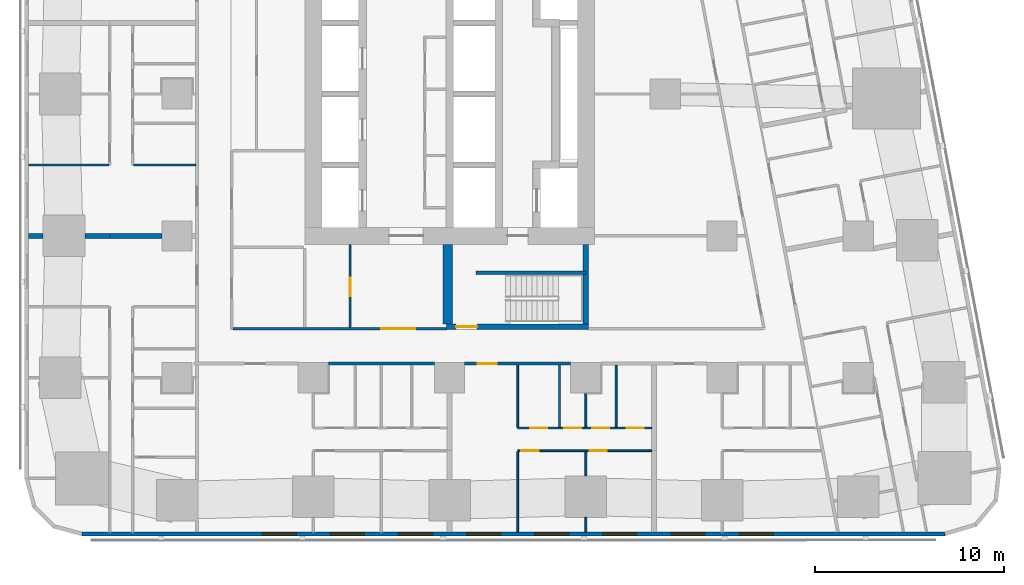
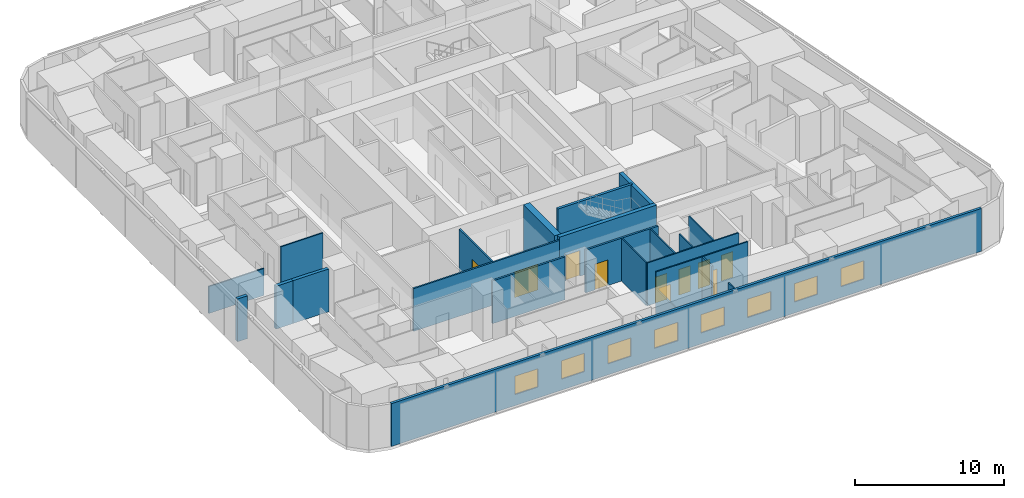
# One storey, part 3 of 15: 23 walls, 10 doors, 8 windows, 18 openings.
"""IFC4 building model written with IfcOpenShell, lengths in metres."""

import ifcopenshell
import ifcopenshell.guid

model = None  # the IFC model being written
_history = None  # IfcOwnerHistory: only IFC2X3 demands one
_inside = {}  # id of a spatial element -> (the spatial element, [elements in it])
_under = {}  # id of a project, library or spatial element -> (it, [spatial elements below it])
_declared = {}  # id of a project -> (the project, [libraries it declares])
_typed = {}  # id of a type object -> (the type object, [elements of that type])
_made_of = {}  # id of a material, layer set ... -> (it, [elements and type objects made of it])


def new_model(schema):
    """Start an empty IFC model of exactly this schema.

    Asked for "IFC4X3", IfcOpenShell would pick the latest addendum, in which some entities
    have other attributes; the version numbers below select the first issue.
    IFC2X3 requires an IfcOwnerHistory on every rooted entity: one is made here for all.
    """
    global model, _history
    if schema == "IFC4X3":
        model = ifcopenshell.file(schema_version=(4, 3, 0, 0))
    else:
        model = ifcopenshell.file(schema=schema)
    _inside.clear()
    _under.clear()
    _declared.clear()
    _typed.clear()
    _made_of.clear()
    _history = None
    if model.schema == "IFC2X3":
        org = make("IfcOrganization", Name="unknown")
        user = make(
            "IfcPersonAndOrganization",
            ThePerson=make("IfcPerson", FamilyName="unknown"),
            TheOrganization=org,
        )
        app = make(
            "IfcApplication",
            ApplicationDeveloper=org,
            Version="unknown",
            ApplicationFullName="unknown",
            ApplicationIdentifier="unknown",
        )
        _history = make(
            "IfcOwnerHistory",
            OwningUser=user,
            OwningApplication=app,
            ChangeAction="ADDED",
            CreationDate=0,
        )
    return model


def make(cls, **values):
    """One entity of the class cls with the attributes given. An attribute that is None is left unset."""
    return model.create_entity(
        cls, **{name: value for name, value in values.items() if value is not None}
    )


def rooted(cls, **values):
    """An entity with a GlobalId (a new one), such as an element, a storey or a relation."""
    return make(cls, GlobalId=ifcopenshell.guid.new(), OwnerHistory=_history, **values)


def si_unit(unit_type, name, prefix=None):
    """IfcSIUnit, for example si_unit("LENGTHUNIT", "METRE", prefix="MILLI")."""
    return make("IfcSIUnit", UnitType=unit_type, Prefix=prefix, Name=name)


def assignment(units):
    """IfcUnitAssignment: the units of a project."""
    return None if units is None else make("IfcUnitAssignment", Units=units)


def point(xyz):
    """IfcCartesianPoint."""
    return None if xyz is None else make("IfcCartesianPoint", Coordinates=xyz)


def direction(xyz):
    """IfcDirection."""
    return None if xyz is None else make("IfcDirection", DirectionRatios=xyz)


def frame(location, z_axis=None, x_axis=None):
    """IfcAxis2Placement3D, a coordinate frame: its origin and axes. An axis left out is left unset."""
    return make(
        "IfcAxis2Placement3D",
        Location=point(location),
        Axis=direction(z_axis),
        RefDirection=direction(x_axis),
    )


def frame_2d(location, x_axis=None):
    """IfcAxis2Placement2D, a coordinate frame in the plane: its origin and x axis."""
    return make(
        "IfcAxis2Placement2D", Location=point(location), RefDirection=direction(x_axis)
    )


def origin():
    """The frame at (0, 0, 0) with its axes left unset."""
    return frame((0.0, 0.0, 0.0))


def place(relative_to, where):
    """IfcLocalPlacement: puts the frame where relative to a parent placement (None: the world)."""
    return make(
        "IfcLocalPlacement", PlacementRelTo=relative_to, RelativePlacement=where
    )


def context(
    kind, dimensions, precision=None, world=None, true_north=None, identifier=None
):
    """IfcGeometricRepresentationContext, for example the 3D "Model" context."""
    return make(
        "IfcGeometricRepresentationContext",
        ContextIdentifier=identifier,
        ContextType=kind,
        CoordinateSpaceDimension=dimensions,
        Precision=precision,
        WorldCoordinateSystem=world,
        TrueNorth=true_north,
    )


def subcontext(parent, identifier, kind, view, scale=None):
    """IfcGeometricRepresentationSubContext, for example "Body" below "Model"."""
    return make(
        "IfcGeometricRepresentationSubContext",
        ContextIdentifier=identifier,
        ContextType=kind,
        ParentContext=parent,
        TargetScale=scale,
        TargetView=view,
    )


def project(units=None, contexts=None):
    """IfcProject with its units and contexts."""
    return rooted(
        "IfcProject",
        Name="project",
        RepresentationContexts=contexts,
        UnitsInContext=assignment(units),
    )


def spatial(cls, under=None, at=None, **own):
    """A site, building, storey or space (cls), placed at a placement, below another one or the project."""
    s = rooted(cls, ObjectPlacement=at, **own)
    if under is not None:
        _under.setdefault(under.id(), (under, []))[1].append(s)
    return s


def profile(cls, at=None, kind="AREA", **sizes):
    """A parametric profile (cls). Its sizes go by their IFC names, for example OverallWidth=200.0."""
    return make(cls, ProfileType=kind, Position=at, **sizes)


def rectangle(**sizes):
    """IfcRectangleProfileDef."""
    return profile("IfcRectangleProfileDef", **sizes)


def extrude(swept, where, along, depth):
    """IfcExtrudedAreaSolid: the profile swept, set in the frame where, extruded along a direction by depth."""
    return make(
        "IfcExtrudedAreaSolid",
        SweptArea=swept,
        Position=where,
        ExtrudedDirection=direction(along),
        Depth=depth,
    )


def shape(context_of_items, identifier, shape_type, items):
    """IfcShapeRepresentation: the items that make up one representation, for example the "Body"."""
    return make(
        "IfcShapeRepresentation",
        ContextOfItems=context_of_items,
        RepresentationIdentifier=identifier,
        RepresentationType=shape_type,
        Items=items,
    )


def material(Name=None, Category=None):
    """IfcMaterial."""
    return make("IfcMaterial", Name=Name, Category=Category)


def layer(
    of_material, thickness, ventilated=None, Name=None, Category=None, Priority=None
):
    """IfcMaterialLayer: one layer of a wall or slab, of a material (None: an air gap)."""
    return make(
        "IfcMaterialLayer",
        Material=of_material,
        LayerThickness=thickness,
        IsVentilated=ventilated,
        Name=Name,
        Category=Category,
        Priority=Priority,
    )


def layer_set(layers, Name=None):
    """IfcMaterialLayerSet."""
    return make("IfcMaterialLayerSet", MaterialLayers=layers, LayerSetName=Name)


def made_of(thing, what):
    """Note that an element or type object is made of a material, layer set ...; save() writes the relation."""
    if what is not None:
        _made_of.setdefault(what.id(), (what, []))[1].append(thing)
    return thing


def type_object(cls, material=None, **own):
    """A type object (cls), such as IfcWallType, which elements share."""
    return made_of(rooted(cls, **own), material)


def element(
    cls,
    number,
    at=None,
    inside=None,
    cuts=None,
    type_object=None,
    material=None,
    context=None,
    identifier="Body",
    shape_type=None,
    held_by="IfcProductDefinitionShape",
    body=None,
    shapes=None,
    **own,
):
    """One element of the class cls, such as IfcWall. Its Tag is "e" and its number.

    at: its placement. inside: the storey or other place that contains it. cuts: it is an
    opening in that element (IfcRelVoidsElement). A single representation is given by context,
    identifier, shape_type and body (its items); several are given by shapes. held_by: the class
    of the entity that holds the representations. save() writes the other relations.
    """
    e = rooted(cls, Tag="e%d" % number, ObjectPlacement=at, **own)
    if body is not None:
        shapes = [shape(context, identifier, shape_type, body)]
    if shapes is not None:
        e.Representation = make(held_by, Representations=shapes)
    if inside is not None:
        _inside.setdefault(inside.id(), (inside, []))[1].append(e)
    if cuts is not None:
        rooted(
            "IfcRelVoidsElement", RelatingBuildingElement=cuts, RelatedOpeningElement=e
        )
    if type_object is not None:
        _typed.setdefault(type_object.id(), (type_object, []))[1].append(e)
    return made_of(e, material)


def fill(opening, filler):
    """IfcRelFillsElement: the door or window that sits in an opening."""
    return rooted(
        "IfcRelFillsElement",
        RelatingOpeningElement=opening,
        RelatedBuildingElement=filler,
    )


def aggregate(whole, parts):
    """IfcRelAggregates: a whole, such as a stair, and the parts it consists of."""
    return rooted("IfcRelAggregates", RelatingObject=whole, RelatedObjects=parts)


def save(model, path):
    """Write the relations noted so far, then the file.

    IfcRelAggregates (storeys below a building ...), IfcRelContainedInSpatialStructure (elements
    in a storey), IfcRelDefinesByType, IfcRelAssociatesMaterial and IfcRelDeclares: one each for
    every whole, place, type object, material and project.
    """
    for whole, parts in _under.values():
        aggregate(whole, parts)
    for where, things in _inside.values():
        rooted(
            "IfcRelContainedInSpatialStructure",
            RelatedElements=things,
            RelatingStructure=where,
        )
    for kind, things in _typed.values():
        rooted("IfcRelDefinesByType", RelatedObjects=things, RelatingType=kind)
    for what, things in _made_of.values():
        rooted("IfcRelAssociatesMaterial", RelatedObjects=things, RelatingMaterial=what)
    for by, libraries in _declared.values():
        rooted("IfcRelDeclares", RelatingContext=by, RelatedDefinitions=libraries)
    model.write(path)


model = new_model("IFC4")

# Units and contexts
model_context = context("Model", 3, precision=1e-05, world=origin(), true_north=direction((0.0, 1.0)))
body_context = subcontext(model_context, "Body", "Model", "MODEL_VIEW")
ifc_project = project(units=[si_unit("LENGTHUNIT", "METRE"), si_unit("AREAUNIT", "SQUARE_METRE"), si_unit("VOLUMEUNIT", "CUBIC_METRE"), si_unit("PLANEANGLEUNIT", "RADIAN"), si_unit("MASSUNIT", "GRAM", prefix="KILO")], contexts=[model_context])

# Site, building, storey
site_placement = place(None, origin())
site = spatial("IfcSite", under=ifc_project, at=site_placement, CompositionType="ELEMENT")
building_placement = place(site_placement, origin())
building = spatial("IfcBuilding", under=site, at=building_placement, Name="Sheger Commons Tower", CompositionType="ELEMENT")
storey_placement = place(building_placement, frame((0.0, 0.0, 100.39990234375)))
storey = spatial("IfcBuildingStorey", under=building, at=storey_placement, Name="L25", CompositionType="ELEMENT", Elevation=100.39990234375)

# Wall, opening, door
ifc_material_1 = material(Name="Hollow concrete block masonry, skimmed both sides", Category="masonry")
ifc_layer_1 = layer(ifc_material_1, 0.14990234375)
ifc_layer_set_1 = layer_set([ifc_layer_1], Name="CORRIDOR WALL 150")
wall_type_1 = type_object("IfcWallType", Name="CORRIDOR WALL 150", PredefinedType="SOLIDWALL", material=ifc_layer_set_1)
wall_1_placement = place(storey_placement, frame((27.9990234375, 8.25, 0.0), z_axis=(0.0, 0.0, 1.0), x_axis=(-1.0, 0.0, 0.0)))
wall_1 = element("IfcWall", 1, at=wall_1_placement, inside=storey, type_object=wall_type_1, Name="Corridor wall L25", PredefinedType="SOLIDWALL", context=body_context, shape_type="SweptSolid", body=[
    extrude(rectangle(XDim=5.59814453125, YDim=0.14990234375, at=frame_2d((2.799072265625, 0.0))), origin(), (0.0, 0.0, 1.0), 3.5),
])
opening_1_placement = place(wall_1_placement, frame((3.89892578125, 0.0, 0.0)))
opening_1 = element("IfcOpeningElement", 2, at=opening_1_placement, cuts=wall_1, Name="Opening D1", PredefinedType="OPENING", context=body_context, shape_type="SweptSolid", body=[
    extrude(rectangle(XDim=1.0, YDim=2.10009765625, at=frame_2d((0.5, 1.050048828125))), frame((0.0, 0.0849609375, 0.0), z_axis=(0.0, -1.0, 0.0), x_axis=(1.0, 0.0, 0.0)), (0.0, 0.0, 1.0), 0.169921875),
])
ifc_material_2 = material(Name="Steel door set, fire rated", Category="steel")
door_type_1 = type_object("IfcDoorType", Name="FLAT ENTRANCE DOOR 1000x2100", OperationType="NOTDEFINED", PredefinedType="DOOR", material=ifc_material_2)
door_1_placement = place(opening_1_placement, origin())
door_1 = element("IfcDoor", 3, at=door_1_placement, inside=storey, type_object=door_type_1, Name="Flat entrance door", OperationType="SINGLE_SWING_RIGHT", OverallHeight=2.10009765625, OverallWidth=1.0, PredefinedType="DOOR", context=body_context, shape_type="SweptSolid", body=[
    extrude(rectangle(XDim=1.0, YDim=2.10009765625, at=frame_2d((0.5, 1.050048828125))), frame((0.0, 0.02490234375, 0.0), z_axis=(0.0, -1.0, 0.0), x_axis=(1.0, 0.0, 0.0)), (0.0, 0.0, 1.0), 0.050048828125),
])
fill(opening_1, door_1)

# Walls
wall_2_placement = place(storey_placement, frame((20.799072265625, 8.25, 0.0), z_axis=(0.0, 0.0, 1.0), x_axis=(-1.0, 0.0, 0.0)))
element("IfcWall", 4, at=wall_2_placement, inside=storey, type_object=wall_type_1, Name="Corridor wall L25", PredefinedType="SOLIDWALL", context=body_context, shape_type="SweptSolid", body=[
    extrude(rectangle(XDim=5.59814453125, YDim=0.14990234375, at=frame_2d((2.799072265625, 0.0))), origin(), (0.0, 0.0, 1.0), 3.5),
])
ifc_material_3 = material(Name="Dense concrete block masonry, plastered both sides (separating wall between flats)", Category="masonry")
ifc_layer_2 = layer(ifc_material_3, 0.25)
ifc_layer_set_2 = layer_set([ifc_layer_2], Name="DEMISING WALL 250")
wall_type_2 = type_object("IfcWallType", Name="DEMISING WALL 250", PredefinedType="SOLIDWALL", material=ifc_layer_set_2)
wall_3_placement = place(storey_placement, frame((-0.64990234375, 15.0, 0.0), z_axis=(0.0, 0.0, 1.0), x_axis=(1.0, 0.0, 0.0)))
element("IfcWall", 5, at=wall_3_placement, inside=storey, type_object=wall_type_2, Name="Demising wall L25", PredefinedType="SOLIDWALL", context=body_context, shape_type="SweptSolid", body=[
    extrude(rectangle(XDim=0.77392578125, YDim=0.25, at=frame_2d((0.386962890625, 0.0))), origin(), (0.0, 0.0, 1.0), 3.5),
])
wall_4_placement = place(storey_placement, frame((2.325927734375, 15.0, 0.0), z_axis=(0.0, 0.0, 1.0), x_axis=(1.0, 0.0, 0.0)))
element("IfcWall", 6, at=wall_4_placement, inside=storey, type_object=wall_type_2, Name="Demising wall L25", PredefinedType="SOLIDWALL", context=body_context, shape_type="SweptSolid", body=[
    extrude(rectangle(XDim=1.323974609375, YDim=0.25, at=frame_2d((0.662109375, 0.0))), origin(), (0.0, 0.0, 1.0), 3.5),
])
wall_5_placement = place(storey_placement, frame((3.64990234375, 15.0, 0.0), z_axis=(0.0, 0.0, 1.0), x_axis=(1.0, 0.0, 0.0)))
element("IfcWall", 7, at=wall_5_placement, inside=storey, type_object=wall_type_2, Name="Demising wall L25", PredefinedType="SOLIDWALL", context=body_context, shape_type="SweptSolid", body=[
    extrude(rectangle(XDim=2.7490234375, YDim=0.25, at=frame_2d((1.37451171875, 0.0))), origin(), (0.0, 0.0, 1.0), 3.5),
])

# Wall, openings, windows
ifc_material_4 = material(Name="Rendered concrete block masonry, dark grey", Category="masonry")
ifc_layer_3 = layer(ifc_material_4, 0.199951171875)
ifc_layer_set_3 = layer_set([ifc_layer_3], Name="FACADE WALL 200")
wall_type_3 = type_object("IfcWallType", Name="FACADE WALL 200", PredefinedType="SOLIDWALL", material=ifc_layer_set_3)
wall_6_placement = place(storey_placement, frame((2.1630859375, -0.75, 0.0), z_axis=(0.0, 0.0, 1.0), x_axis=(1.0, 0.0, 0.0)))
wall_6 = element("IfcWall", 8, at=wall_6_placement, inside=storey, type_object=wall_type_3, Name="Facade wall L25", PredefinedType="SOLIDWALL", context=body_context, shape_type="SweptSolid", body=[
    extrude(rectangle(XDim=45.6279296875, YDim=0.199951171875, at=frame_2d((22.81396484375, 0.0))), origin(), (0.0, 0.0, 1.0), 3.5),
])
opening_2_placement = place(wall_6_placement, frame((9.537109375, 0.0, 0.89990234375)))
opening_2 = element("IfcOpeningElement", 9, at=opening_2_placement, cuts=wall_6, Name="Opening W2", PredefinedType="OPENING", context=body_context, shape_type="SweptSolid", body=[
    extrude(rectangle(XDim=1.800048828125, YDim=1.5, at=frame_2d((0.89990234375, 0.75))), frame((0.0, 0.10986328125, 0.0), z_axis=(0.0, -1.0, 0.0), x_axis=(1.0, 0.0, 0.0)), (0.0, 0.0, 1.0), 0.219970703125),
])
opening_3_placement = place(wall_6_placement, frame((13.136962890625, 0.0, 0.89990234375)))
opening_3 = element("IfcOpeningElement", 10, at=opening_3_placement, cuts=wall_6, Name="Opening W2", PredefinedType="OPENING", context=body_context, shape_type="SweptSolid", body=[
    extrude(rectangle(XDim=1.800048828125, YDim=1.5, at=frame_2d((0.89990234375, 0.75))), frame((0.0, 0.10986328125, 0.0), z_axis=(0.0, -1.0, 0.0), x_axis=(1.0, 0.0, 0.0)), (0.0, 0.0, 1.0), 0.219970703125),
])
opening_4_placement = place(wall_6_placement, frame((16.737060546875, 0.0, 0.89990234375)))
opening_4 = element("IfcOpeningElement", 11, at=opening_4_placement, cuts=wall_6, Name="Opening W2", PredefinedType="OPENING", context=body_context, shape_type="SweptSolid", body=[
    extrude(rectangle(XDim=1.800048828125, YDim=1.5, at=frame_2d((0.89990234375, 0.75))), frame((0.0, 0.10986328125, 0.0), z_axis=(0.0, -1.0, 0.0), x_axis=(1.0, 0.0, 0.0)), (0.0, 0.0, 1.0), 0.219970703125),
])
opening_5_placement = place(wall_6_placement, frame((20.3369140625, 0.0, 0.89990234375)))
opening_5 = element("IfcOpeningElement", 12, at=opening_5_placement, cuts=wall_6, Name="Opening W2", PredefinedType="OPENING", context=body_context, shape_type="SweptSolid", body=[
    extrude(rectangle(XDim=1.800048828125, YDim=1.5, at=frame_2d((0.89990234375, 0.75))), frame((0.0, 0.10986328125, 0.0), z_axis=(0.0, -1.0, 0.0), x_axis=(1.0, 0.0, 0.0)), (0.0, 0.0, 1.0), 0.219970703125),
])
opening_6_placement = place(wall_6_placement, frame((23.93701171875, 0.0, 0.89990234375)))
opening_6 = element("IfcOpeningElement", 13, at=opening_6_placement, cuts=wall_6, Name="Opening W2", PredefinedType="OPENING", context=body_context, shape_type="SweptSolid", body=[
    extrude(rectangle(XDim=1.800048828125, YDim=1.5, at=frame_2d((0.89990234375, 0.75))), frame((0.0, 0.10986328125, 0.0), z_axis=(0.0, -1.0, 0.0), x_axis=(1.0, 0.0, 0.0)), (0.0, 0.0, 1.0), 0.219970703125),
])
opening_7_placement = place(wall_6_placement, frame((27.537109375, 0.0, 0.89990234375)))
opening_7 = element("IfcOpeningElement", 14, at=opening_7_placement, cuts=wall_6, Name="Opening W2", PredefinedType="OPENING", context=body_context, shape_type="SweptSolid", body=[
    extrude(rectangle(XDim=1.800048828125, YDim=1.5, at=frame_2d((0.89990234375, 0.75))), frame((0.0, 0.10986328125, 0.0), z_axis=(0.0, -1.0, 0.0), x_axis=(1.0, 0.0, 0.0)), (0.0, 0.0, 1.0), 0.219970703125),
])
opening_8_placement = place(wall_6_placement, frame((31.136962890625, 0.0, 0.89990234375)))
opening_8 = element("IfcOpeningElement", 15, at=opening_8_placement, cuts=wall_6, Name="Opening W2", PredefinedType="OPENING", context=body_context, shape_type="SweptSolid", body=[
    extrude(rectangle(XDim=1.800048828125, YDim=1.5, at=frame_2d((0.89990234375, 0.75))), frame((0.0, 0.10986328125, 0.0), z_axis=(0.0, -1.0, 0.0), x_axis=(1.0, 0.0, 0.0)), (0.0, 0.0, 1.0), 0.219970703125),
])
opening_9_placement = place(wall_6_placement, frame((34.737060546875, 0.0, 0.89990234375)))
opening_9 = element("IfcOpeningElement", 16, at=opening_9_placement, cuts=wall_6, Name="Opening W2", PredefinedType="OPENING", context=body_context, shape_type="SweptSolid", body=[
    extrude(rectangle(XDim=1.800048828125, YDim=1.5, at=frame_2d((0.89990234375, 0.75))), frame((0.0, 0.10986328125, 0.0), z_axis=(0.0, -1.0, 0.0), x_axis=(1.0, 0.0, 0.0)), (0.0, 0.0, 1.0), 0.219970703125),
])
ifc_material_5 = material(Name="Black aluminium frame, dark tinted double glazing", Category="aluminium")
window_type = type_object("IfcWindowType", Name="WINDOW W2 1800x1500", PartitioningType="SINGLE_PANEL", PredefinedType="WINDOW", material=ifc_material_5)
window_1_placement = place(opening_2_placement, origin())
window_1 = element("IfcWindow", 17, at=window_1_placement, inside=storey, type_object=window_type, Name="Window W2 1800X1500", OverallHeight=1.5, OverallWidth=1.800048828125, PartitioningType="SINGLE_PANEL", PredefinedType="WINDOW", context=body_context, shape_type="SweptSolid", body=[
    extrude(rectangle(XDim=1.800048828125, YDim=1.5, at=frame_2d((0.89990234375, 0.75))), frame((0.0, 0.030029296875, 0.0), z_axis=(0.0, -1.0, 0.0), x_axis=(1.0, 0.0, 0.0)), (0.0, 0.0, 1.0), 0.06005859375),
])
fill(opening_2, window_1)
window_2_placement = place(opening_3_placement, origin())
window_2 = element("IfcWindow", 18, at=window_2_placement, inside=storey, type_object=window_type, Name="Window W2 1800X1500", OverallHeight=1.5, OverallWidth=1.800048828125, PartitioningType="SINGLE_PANEL", PredefinedType="WINDOW", context=body_context, shape_type="SweptSolid", body=[
    extrude(rectangle(XDim=1.800048828125, YDim=1.5, at=frame_2d((0.89990234375, 0.75))), frame((0.0, 0.030029296875, 0.0), z_axis=(0.0, -1.0, 0.0), x_axis=(1.0, 0.0, 0.0)), (0.0, 0.0, 1.0), 0.06005859375),
])
fill(opening_3, window_2)
window_3_placement = place(opening_4_placement, origin())
window_3 = element("IfcWindow", 19, at=window_3_placement, inside=storey, type_object=window_type, Name="Window W2 1800X1500", OverallHeight=1.5, OverallWidth=1.800048828125, PartitioningType="SINGLE_PANEL", PredefinedType="WINDOW", context=body_context, shape_type="SweptSolid", body=[
    extrude(rectangle(XDim=1.800048828125, YDim=1.5, at=frame_2d((0.89990234375, 0.75))), frame((0.0, 0.030029296875, 0.0), z_axis=(0.0, -1.0, 0.0), x_axis=(1.0, 0.0, 0.0)), (0.0, 0.0, 1.0), 0.06005859375),
])
fill(opening_4, window_3)
window_4_placement = place(opening_5_placement, origin())
window_4 = element("IfcWindow", 20, at=window_4_placement, inside=storey, type_object=window_type, Name="Window W2 1800X1500", OverallHeight=1.5, OverallWidth=1.800048828125, PartitioningType="SINGLE_PANEL", PredefinedType="WINDOW", context=body_context, shape_type="SweptSolid", body=[
    extrude(rectangle(XDim=1.800048828125, YDim=1.5, at=frame_2d((0.89990234375, 0.75))), frame((0.0, 0.030029296875, 0.0), z_axis=(0.0, -1.0, 0.0), x_axis=(1.0, 0.0, 0.0)), (0.0, 0.0, 1.0), 0.06005859375),
])
fill(opening_5, window_4)
window_5_placement = place(opening_6_placement, origin())
window_5 = element("IfcWindow", 21, at=window_5_placement, inside=storey, type_object=window_type, Name="Window W2 1800X1500", OverallHeight=1.5, OverallWidth=1.800048828125, PartitioningType="SINGLE_PANEL", PredefinedType="WINDOW", context=body_context, shape_type="SweptSolid", body=[
    extrude(rectangle(XDim=1.800048828125, YDim=1.5, at=frame_2d((0.89990234375, 0.75))), frame((0.0, 0.030029296875, 0.0), z_axis=(0.0, -1.0, 0.0), x_axis=(1.0, 0.0, 0.0)), (0.0, 0.0, 1.0), 0.06005859375),
])
fill(opening_6, window_5)
window_6_placement = place(opening_7_placement, origin())
window_6 = element("IfcWindow", 22, at=window_6_placement, inside=storey, type_object=window_type, Name="Window W2 1800X1500", OverallHeight=1.5, OverallWidth=1.800048828125, PartitioningType="SINGLE_PANEL", PredefinedType="WINDOW", context=body_context, shape_type="SweptSolid", body=[
    extrude(rectangle(XDim=1.800048828125, YDim=1.5, at=frame_2d((0.89990234375, 0.75))), frame((0.0, 0.030029296875, 0.0), z_axis=(0.0, -1.0, 0.0), x_axis=(1.0, 0.0, 0.0)), (0.0, 0.0, 1.0), 0.06005859375),
])
fill(opening_7, window_6)
window_7_placement = place(opening_8_placement, origin())
window_7 = element("IfcWindow", 23, at=window_7_placement, inside=storey, type_object=window_type, Name="Window W2 1800X1500", OverallHeight=1.5, OverallWidth=1.800048828125, PartitioningType="SINGLE_PANEL", PredefinedType="WINDOW", context=body_context, shape_type="SweptSolid", body=[
    extrude(rectangle(XDim=1.800048828125, YDim=1.5, at=frame_2d((0.89990234375, 0.75))), frame((0.0, 0.030029296875, 0.0), z_axis=(0.0, -1.0, 0.0), x_axis=(1.0, 0.0, 0.0)), (0.0, 0.0, 1.0), 0.06005859375),
])
fill(opening_8, window_7)
window_8_placement = place(opening_9_placement, origin())
window_8 = element("IfcWindow", 24, at=window_8_placement, inside=storey, type_object=window_type, Name="Window W2 1800X1500", OverallHeight=1.5, OverallWidth=1.800048828125, PartitioningType="SINGLE_PANEL", PredefinedType="WINDOW", context=body_context, shape_type="SweptSolid", body=[
    extrude(rectangle(XDim=1.800048828125, YDim=1.5, at=frame_2d((0.89990234375, 0.75))), frame((0.0, 0.030029296875, 0.0), z_axis=(0.0, -1.0, 0.0), x_axis=(1.0, 0.0, 0.0)), (0.0, 0.0, 1.0), 0.06005859375),
])
fill(opening_9, window_8)

# Walls
ifc_material_6 = material(Name="Gypsum board on steel studs", Category="steel")
ifc_layer_4 = layer(ifc_material_6, 0.10009765625)
ifc_layer_set_4 = layer_set([ifc_layer_4], Name="PARTITION 100")
wall_type_4 = type_object("IfcWallType", Name="PARTITION 100", PredefinedType="PARTITIONING", material=ifc_layer_set_4)
wall_7_placement = place(storey_placement, frame((-0.64990234375, 18.75, 0.0), z_axis=(0.0, 0.0, 1.0), x_axis=(1.0, 0.0, 0.0)))
element("IfcWall", 25, at=wall_7_placement, inside=storey, type_object=wall_type_4, Name="Partition L25", PredefinedType="PARTITIONING", context=body_context, shape_type="SweptSolid", body=[
    extrude(rectangle(XDim=4.25, YDim=0.10009765625, at=frame_2d((2.125, 0.0))), origin(), (0.0, 0.0, 1.0), 2.2001953125),
])
wall_8_placement = place(storey_placement, frame((4.89990234375, 18.75, 0.0), z_axis=(0.0, 0.0, 1.0), x_axis=(1.0, 0.0, 0.0)))
element("IfcWall", 26, at=wall_8_placement, inside=storey, type_object=wall_type_4, Name="Partition L25", PredefinedType="PARTITIONING", context=body_context, shape_type="SweptSolid", body=[
    extrude(rectangle(XDim=3.275146484375, YDim=0.10009765625, at=frame_2d((1.6376953125, 0.0))), origin(), (0.0, 0.0, 1.0), 3.5),
])

# Wall, openings, doors
wall_9_placement = place(storey_placement, frame((32.27490234375, 3.64990234375, 0.0), z_axis=(0.0, 0.0, 1.0), x_axis=(-1.0, 0.0, 0.0)))
wall_9 = element("IfcWall", 27, at=wall_9_placement, inside=storey, type_object=wall_type_4, Name="Partition L25", PredefinedType="PARTITIONING", context=body_context, shape_type="SweptSolid", body=[
    extrude(rectangle(XDim=7.074951171875, YDim=0.10009765625, at=frame_2d((3.53759765625, 0.0))), origin(), (0.0, 0.0, 1.0), 3.5),
])
opening_10_placement = place(wall_9_placement, frame((5.97509765625, 0.0, 0.0)))
opening_10 = element("IfcOpeningElement", 28, at=opening_10_placement, cuts=wall_9, Name="Opening D2", PredefinedType="OPENING", context=body_context, shape_type="SweptSolid", body=[
    extrude(rectangle(XDim=0.89990234375, YDim=2.10009765625, at=frame_2d((0.449951171875, 1.050048828125))), frame((0.0, 0.06005859375, 0.0), z_axis=(0.0, -1.0, 0.0), x_axis=(1.0, 0.0, 0.0)), (0.0, 0.0, 1.0), 0.1201171875),
])
opening_11_placement = place(wall_9_placement, frame((2.375, 0.0, 0.0)))
opening_11 = element("IfcOpeningElement", 29, at=opening_11_placement, cuts=wall_9, Name="Opening D2", PredefinedType="OPENING", context=body_context, shape_type="SweptSolid", body=[
    extrude(rectangle(XDim=0.89990234375, YDim=2.10009765625, at=frame_2d((0.449951171875, 1.050048828125))), frame((0.0, 0.06005859375, 0.0), z_axis=(0.0, -1.0, 0.0), x_axis=(1.0, 0.0, 0.0)), (0.0, 0.0, 1.0), 0.1201171875),
])
ifc_material_7 = material(Name="Timber door set", Category="wood")
door_type_2 = type_object("IfcDoorType", Name="INTERNAL DOOR 900x2100", OperationType="NOTDEFINED", PredefinedType="DOOR", material=ifc_material_7)
door_2_placement = place(opening_10_placement, origin())
door_2 = element("IfcDoor", 30, at=door_2_placement, inside=storey, type_object=door_type_2, Name="Main bedroom door", OperationType="SINGLE_SWING_RIGHT", OverallHeight=2.10009765625, OverallWidth=0.89990234375, PredefinedType="DOOR", context=body_context, shape_type="SweptSolid", body=[
    extrude(rectangle(XDim=0.89990234375, YDim=2.10009765625, at=frame_2d((0.449951171875, 1.050048828125))), frame((0.0, 0.02490234375, 0.0), z_axis=(0.0, -1.0, 0.0), x_axis=(1.0, 0.0, 0.0)), (0.0, 0.0, 1.0), 0.050048828125),
])
fill(opening_10, door_2)
door_3_placement = place(opening_11_placement, origin())
door_3 = element("IfcDoor", 31, at=door_3_placement, inside=storey, type_object=door_type_2, Name="Bedroom 2 door", OperationType="SINGLE_SWING_RIGHT", OverallHeight=2.10009765625, OverallWidth=0.89990234375, PredefinedType="DOOR", context=body_context, shape_type="SweptSolid", body=[
    extrude(rectangle(XDim=0.89990234375, YDim=2.10009765625, at=frame_2d((0.449951171875, 1.050048828125))), frame((0.0, 0.02490234375, 0.0), z_axis=(0.0, -1.0, 0.0), x_axis=(1.0, 0.0, 0.0)), (0.0, 0.0, 1.0), 0.050048828125),
])
fill(opening_11, door_3)

wall_10_placement = place(storey_placement, frame((32.27490234375, 4.85009765625, 0.0), z_axis=(0.0, 0.0, 1.0), x_axis=(-1.0, 0.0, 0.0)))
wall_10 = element("IfcWall", 32, at=wall_10_placement, inside=storey, type_object=wall_type_4, Name="Partition L25", PredefinedType="PARTITIONING", context=body_context, shape_type="SweptSolid", body=[
    extrude(rectangle(XDim=7.074951171875, YDim=0.10009765625, at=frame_2d((3.53759765625, 0.0))), origin(), (0.0, 0.0, 1.0), 3.5),
])
opening_12_placement = place(wall_10_placement, frame((5.52001953125, 0.0, 0.0)))
opening_12 = element("IfcOpeningElement", 33, at=opening_12_placement, cuts=wall_10, Name="Opening D2", PredefinedType="OPENING", context=body_context, shape_type="SweptSolid", body=[
    extrude(rectangle(XDim=0.89990234375, YDim=2.10009765625, at=frame_2d((0.449951171875, 1.050048828125))), frame((0.0, 0.06005859375, 0.0), z_axis=(0.0, -1.0, 0.0), x_axis=(1.0, 0.0, 0.0)), (0.0, 0.0, 1.0), 0.1201171875),
])
opening_13_placement = place(wall_10_placement, frame((2.22509765625, 0.0, 0.0)))
opening_13 = element("IfcOpeningElement", 34, at=opening_13_placement, cuts=wall_10, Name="Opening D2", PredefinedType="OPENING", context=body_context, shape_type="SweptSolid", body=[
    extrude(rectangle(XDim=0.89990234375, YDim=2.10009765625, at=frame_2d((0.449951171875, 1.050048828125))), frame((0.0, 0.06005859375, 0.0), z_axis=(0.0, -1.0, 0.0), x_axis=(1.0, 0.0, 0.0)), (0.0, 0.0, 1.0), 0.1201171875),
])
opening_14_placement = place(wall_10_placement, frame((3.719970703125, 0.0, 0.0)))
opening_14 = element("IfcOpeningElement", 35, at=opening_14_placement, cuts=wall_10, Name="Opening D2", PredefinedType="OPENING", context=body_context, shape_type="SweptSolid", body=[
    extrude(rectangle(XDim=0.89990234375, YDim=2.10009765625, at=frame_2d((0.449951171875, 1.050048828125))), frame((0.0, 0.06005859375, 0.0), z_axis=(0.0, -1.0, 0.0), x_axis=(1.0, 0.0, 0.0)), (0.0, 0.0, 1.0), 0.1201171875),
])
opening_15_placement = place(wall_10_placement, frame((0.425048828125, 0.0, 0.0)))
opening_15 = element("IfcOpeningElement", 36, at=opening_15_placement, cuts=wall_10, Name="Opening D2", PredefinedType="OPENING", context=body_context, shape_type="SweptSolid", body=[
    extrude(rectangle(XDim=0.89990234375, YDim=2.10009765625, at=frame_2d((0.449951171875, 1.050048828125))), frame((0.0, 0.06005859375, 0.0), z_axis=(0.0, -1.0, 0.0), x_axis=(1.0, 0.0, 0.0)), (0.0, 0.0, 1.0), 0.1201171875),
])
door_4_placement = place(opening_12_placement, origin())
door_4 = element("IfcDoor", 37, at=door_4_placement, inside=storey, type_object=door_type_2, Name="Bathroom door", OperationType="SINGLE_SWING_LEFT", OverallHeight=2.10009765625, OverallWidth=0.89990234375, PredefinedType="DOOR", context=body_context, shape_type="SweptSolid", body=[
    extrude(rectangle(XDim=0.89990234375, YDim=2.10009765625, at=frame_2d((0.449951171875, 1.050048828125))), frame((0.0, 0.02490234375, 0.0), z_axis=(0.0, -1.0, 0.0), x_axis=(1.0, 0.0, 0.0)), (0.0, 0.0, 1.0), 0.050048828125),
])
fill(opening_12, door_4)
door_5_placement = place(opening_13_placement, origin())
door_5 = element("IfcDoor", 38, at=door_5_placement, inside=storey, type_object=door_type_2, Name="Shower room door", OperationType="SINGLE_SWING_RIGHT", OverallHeight=2.10009765625, OverallWidth=0.89990234375, PredefinedType="DOOR", context=body_context, shape_type="SweptSolid", body=[
    extrude(rectangle(XDim=0.89990234375, YDim=2.10009765625, at=frame_2d((0.449951171875, 1.050048828125))), frame((0.0, 0.02490234375, 0.0), z_axis=(0.0, -1.0, 0.0), x_axis=(1.0, 0.0, 0.0)), (0.0, 0.0, 1.0), 0.050048828125),
])
fill(opening_13, door_5)
door_6_placement = place(opening_14_placement, origin())
door_6 = element("IfcDoor", 39, at=door_6_placement, inside=storey, type_object=door_type_2, Name="Store door", OperationType="SINGLE_SWING_RIGHT", OverallHeight=2.10009765625, OverallWidth=0.89990234375, PredefinedType="DOOR", context=body_context, shape_type="SweptSolid", body=[
    extrude(rectangle(XDim=0.89990234375, YDim=2.10009765625, at=frame_2d((0.449951171875, 1.050048828125))), frame((0.0, 0.02490234375, 0.0), z_axis=(0.0, -1.0, 0.0), x_axis=(1.0, 0.0, 0.0)), (0.0, 0.0, 1.0), 0.050048828125),
])
fill(opening_14, door_6)
door_7_placement = place(opening_15_placement, origin())
door_7 = element("IfcDoor", 40, at=door_7_placement, inside=storey, type_object=door_type_2, Name="Store door", OperationType="SINGLE_SWING_RIGHT", OverallHeight=2.10009765625, OverallWidth=0.89990234375, PredefinedType="DOOR", context=body_context, shape_type="SweptSolid", body=[
    extrude(rectangle(XDim=0.89990234375, YDim=2.10009765625, at=frame_2d((0.449951171875, 1.050048828125))), frame((0.0, 0.02490234375, 0.0), z_axis=(0.0, -1.0, 0.0), x_axis=(1.0, 0.0, 0.0)), (0.0, 0.0, 1.0), 0.050048828125),
])
fill(opening_15, door_7)

# Walls
wall_11_placement = place(storey_placement, frame((25.199951171875, -0.64990234375, 0.0), z_axis=(0.0, 0.0, 1.0), x_axis=(0.0, 1.0, 0.0)))
element("IfcWall", 41, at=wall_11_placement, inside=storey, type_object=wall_type_4, Name="Partition L25", PredefinedType="PARTITIONING", context=body_context, shape_type="SweptSolid", body=[
    extrude(rectangle(XDim=4.25, YDim=0.10009765625, at=frame_2d((2.125, 0.0))), origin(), (0.0, 0.0, 1.0), 2.2001953125),
])
wall_12_placement = place(storey_placement, frame((28.800048828125, -0.64990234375, 0.0), z_axis=(0.0, 0.0, 1.0), x_axis=(0.0, 1.0, 0.0)))
element("IfcWall", 42, at=wall_12_placement, inside=storey, type_object=wall_type_4, Name="Partition L25", PredefinedType="PARTITIONING", context=body_context, shape_type="SweptSolid", body=[
    extrude(rectangle(XDim=0.77392578125, YDim=0.10009765625, at=frame_2d((0.386962890625, 0.0))), origin(), (0.0, 0.0, 1.0), 3.5),
])
wall_13_placement = place(storey_placement, frame((28.800048828125, 2.325927734375, 0.0), z_axis=(0.0, 0.0, 1.0), x_axis=(0.0, 1.0, 0.0)))
element("IfcWall", 43, at=wall_13_placement, inside=storey, type_object=wall_type_4, Name="Partition L25", PredefinedType="PARTITIONING", context=body_context, shape_type="SweptSolid", body=[
    extrude(rectangle(XDim=1.274169921875, YDim=0.10009765625, at=frame_2d((0.63720703125, 0.0))), origin(), (0.0, 0.0, 1.0), 3.5),
])
wall_14_placement = place(storey_placement, frame((25.199951171875, 4.89990234375, 0.0), z_axis=(0.0, 0.0, 1.0), x_axis=(0.0, 1.0, 0.0)))
element("IfcWall", 44, at=wall_14_placement, inside=storey, type_object=wall_type_4, Name="Partition L25", PredefinedType="PARTITIONING", context=body_context, shape_type="SweptSolid", body=[
    extrude(rectangle(XDim=3.275146484375, YDim=0.10009765625, at=frame_2d((1.6376953125, 0.0))), origin(), (0.0, 0.0, 1.0), 3.5),
])
wall_15_placement = place(storey_placement, frame((28.800048828125, 4.89990234375, 0.0), z_axis=(0.0, 0.0, 1.0), x_axis=(0.0, 1.0, 0.0)))
element("IfcWall", 45, at=wall_15_placement, inside=storey, type_object=wall_type_4, Name="Partition L25", PredefinedType="PARTITIONING", context=body_context, shape_type="SweptSolid", body=[
    extrude(rectangle(XDim=1.799072265625, YDim=0.10009765625, at=frame_2d((0.8994140625, 0.0))), origin(), (0.0, 0.0, 1.0), 3.5),
])
for number, where, z_axis, x_axis, name in (
    (46, (27.409912109375, 4.89990234375, 0.0), (0.0, 0.0, 1.0), (0.0, 1.0, 0.0), "Partition L25"),
    (47, (30.39990234375, 4.89990234375, 0.0), (0.0, 0.0, 1.0), (0.0, 1.0, 0.0), "Partition L25"),
):
    element("IfcWall", number, at=place(storey_placement, frame(where, z_axis=z_axis, x_axis=x_axis)), inside=storey, type_object=wall_type_4, Name=name, PredefinedType="PARTITIONING", context=body_context, shape_type="SweptSolid", body=[
        extrude(rectangle(XDim=3.275146484375, YDim=0.10009765625, at=frame_2d((1.6376953125, 0.0))), origin(), (0.0, 0.0, 1.0), 3.5),
    ])

# Wall, opening, door
ifc_material_8 = material(Name="Gypsum board on steel studs, two layers each side, fire rated", Category="steel")
ifc_layer_5 = layer(ifc_material_8, 0.125)
ifc_layer_set_5 = layer_set([ifc_layer_5], Name="SERVICE WALL 125")
wall_type_5 = type_object("IfcWallType", Name="SERVICE WALL 125", PredefinedType="PARTITIONING", material=ifc_layer_set_5)
wall_16_placement = place(storey_placement, frame((10.1630859375, 10.10009765625, 0.0), z_axis=(0.0, 0.0, 1.0), x_axis=(1.0, 0.0, 0.0)))
wall_16 = element("IfcWall", 48, at=wall_16_placement, inside=storey, type_object=wall_type_5, Name="Service room wall L25", PredefinedType="PARTITIONING", context=body_context, shape_type="SweptSolid", body=[
    extrude(rectangle(XDim=11.286865234375, YDim=0.125, at=frame_2d((5.6435546875, 0.0))), origin(), (0.0, 0.0, 1.0), 3.5),
])
opening_16_placement = place(wall_16_placement, frame((7.83203125, 0.0, 0.0)))
opening_16 = element("IfcOpeningElement", 49, at=opening_16_placement, cuts=wall_16, Name="Opening D6", PredefinedType="OPENING", context=body_context, shape_type="SweptSolid", body=[
    extrude(rectangle(XDim=1.800048828125, YDim=2.10009765625, at=frame_2d((0.89990234375, 1.050048828125))), frame((0.0, 0.072509765625, 0.0), z_axis=(0.0, -1.0, 0.0), x_axis=(1.0, 0.0, 0.0)), (0.0, 0.0, 1.0), 0.14501953125),
])
ifc_material_9 = material(Name="Steel door set, fire rated", Category="steel")
door_type_3 = type_object("IfcDoorType", Name="LOBBY DOUBLE DOOR 1800x2100", OperationType="DOUBLE_DOOR_SINGLE_SWING", PredefinedType="DOOR", material=ifc_material_9)
door_8_placement = place(opening_16_placement, origin())
door_8 = element("IfcDoor", 50, at=door_8_placement, inside=storey, type_object=door_type_3, Name="Lift lobby south door", OperationType="DOUBLE_DOOR_SINGLE_SWING", OverallHeight=2.10009765625, OverallWidth=1.800048828125, PredefinedType="DOOR", context=body_context, shape_type="SweptSolid", body=[
    extrude(rectangle(XDim=1.800048828125, YDim=2.10009765625, at=frame_2d((0.89990234375, 1.050048828125))), frame((0.0, 0.02490234375, 0.0), z_axis=(0.0, -1.0, 0.0), x_axis=(1.0, 0.0, 0.0)), (0.0, 0.0, 1.0), 0.050048828125),
])
fill(opening_16, door_8)

wall_17_placement = place(storey_placement, frame((16.340087890625, 10.1630859375, 0.0), z_axis=(0.0, 0.0, 1.0), x_axis=(0.0, 1.0, 0.0)))
wall_17 = element("IfcWall", 51, at=wall_17_placement, inside=storey, type_object=wall_type_5, Name="Service room wall L25", PredefinedType="PARTITIONING", context=body_context, shape_type="SweptSolid", body=[
    extrude(rectangle(XDim=4.386962890625, YDim=0.125, at=frame_2d((2.193359375, 0.0))), origin(), (0.0, 0.0, 1.0), 3.5),
])
opening_17_placement = place(wall_17_placement, frame((1.636962890625, 0.0, 0.0)))
opening_17 = element("IfcOpeningElement", 52, at=opening_17_placement, cuts=wall_17, Name="Opening D4", PredefinedType="OPENING", context=body_context, shape_type="SweptSolid", body=[
    extrude(rectangle(XDim=1.0, YDim=2.10009765625, at=frame_2d((0.5, 1.050048828125))), frame((0.0, 0.072509765625, 0.0), z_axis=(0.0, -1.0, 0.0), x_axis=(1.0, 0.0, 0.0)), (0.0, 0.0, 1.0), 0.14501953125),
])
ifc_material_10 = material(Name="Steel door set, fire rated", Category="steel")
door_type_4 = type_object("IfcDoorType", Name="SERVICE DOOR 1000x2100", OperationType="NOTDEFINED", PredefinedType="DOOR", material=ifc_material_10)
door_9_placement = place(opening_17_placement, origin())
door_9 = element("IfcDoor", 53, at=door_9_placement, inside=storey, type_object=door_type_4, Name="Electrical room door", OperationType="SINGLE_SWING_LEFT", OverallHeight=2.10009765625, OverallWidth=1.0, PredefinedType="DOOR", context=body_context, shape_type="SweptSolid", body=[
    extrude(rectangle(XDim=1.0, YDim=2.10009765625, at=frame_2d((0.5, 1.050048828125))), frame((0.0, 0.02490234375, 0.0), z_axis=(0.0, -1.0, 0.0), x_axis=(1.0, 0.0, 0.0)), (0.0, 0.0, 1.0), 0.050048828125),
])
fill(opening_17, door_9)

ifc_material_11 = material(Name="Concrete C50/60", Category="concrete")
ifc_layer_6 = layer(ifc_material_11, 0.300048828125)
ifc_layer_set_6 = layer_set([ifc_layer_6], Name="STAIR CORE WALL 300")
wall_type_6 = type_object("IfcWallType", Name="STAIR CORE WALL 300", PredefinedType="SHEAR", material=ifc_layer_set_6)
wall_18_placement = place(storey_placement, frame((21.449951171875, 10.199951171875, 0.0), z_axis=(0.0, 0.0, 1.0), x_axis=(1.0, 0.0, 0.0)))
wall_18 = element("IfcWall", 54, at=wall_18_placement, inside=storey, type_object=wall_type_6, Name="STW-L25-S1S", PredefinedType="SHEAR", context=body_context, shape_type="SweptSolid", body=[
    extrude(rectangle(XDim=7.5, YDim=0.300048828125, at=frame_2d((3.75, 0.0))), origin(), (0.0, 0.0, 1.0), 3.75),
])
opening_18_placement = place(wall_18_placement, frame((0.5, 0.0, 0.0)))
opening_18 = element("IfcOpeningElement", 55, at=opening_18_placement, cuts=wall_18, Name="Opening D5", PredefinedType="OPENING", context=body_context, shape_type="SweptSolid", body=[
    extrude(rectangle(XDim=1.10009765625, YDim=2.10009765625, at=frame_2d((0.550048828125, 1.050048828125))), frame((0.0, 0.159912109375, 0.0), z_axis=(0.0, -1.0, 0.0), x_axis=(1.0, 0.0, 0.0)), (0.0, 0.0, 1.0), 0.320068359375),
])
ifc_material_12 = material(Name="Steel door set, fire rated", Category="steel")
door_type_5 = type_object("IfcDoorType", Name="STAIR DOOR 1100x2100", OperationType="NOTDEFINED", PredefinedType="DOOR", material=ifc_material_12)
door_10_placement = place(opening_18_placement, origin())
door_10 = element("IfcDoor", 56, at=door_10_placement, inside=storey, type_object=door_type_5, Name="Stair S1 door", OperationType="SINGLE_SWING_LEFT", OverallHeight=2.10009765625, OverallWidth=1.10009765625, PredefinedType="DOOR", context=body_context, shape_type="SweptSolid", body=[
    extrude(rectangle(XDim=1.10009765625, YDim=2.10009765625, at=frame_2d((0.550048828125, 1.050048828125))), frame((0.0, 0.02490234375, 0.0), z_axis=(0.0, -1.0, 0.0), x_axis=(1.0, 0.0, 0.0)), (0.0, 0.0, 1.0), 0.050048828125),
])
fill(opening_18, door_10)

# Walls
wall_19_placement = place(storey_placement, frame((28.800048828125, 10.35009765625, 0.0), z_axis=(0.0, 0.0, 1.0), x_axis=(0.0, 1.0, 0.0)))
element("IfcWall", 57, at=wall_19_placement, inside=storey, type_object=wall_type_6, Name="STW-L25-S1E", PredefinedType="SHEAR", context=body_context, shape_type="SweptSolid", body=[
    extrude(rectangle(XDim=4.199951171875, YDim=0.300048828125, at=frame_2d((2.10009765625, 0.0))), origin(), (0.0, 0.0, 1.0), 3.75),
])
ifc_material_13 = material(Name="Concrete C50/60", Category="concrete")
ifc_layer_7 = layer(ifc_material_13, 0.5)
ifc_layer_set_7 = layer_set([ifc_layer_7], Name="STAIR CORE WALL 500")
wall_type_7 = type_object("IfcWallType", Name="STAIR CORE WALL 500", PredefinedType="SHEAR", material=ifc_layer_set_7)
wall_20_placement = place(storey_placement, frame((21.5, 10.35009765625, 0.0), z_axis=(0.0, 0.0, 1.0), x_axis=(0.0, 1.0, 0.0)))
element("IfcWall", 58, at=wall_20_placement, inside=storey, type_object=wall_type_7, Name="STW-L25-S1W", PredefinedType="SHEAR", context=body_context, shape_type="SweptSolid", body=[
    extrude(rectangle(XDim=4.199951171875, YDim=0.5, at=frame_2d((2.10009765625, 0.0))), origin(), (0.0, 0.0, 1.0), 3.75),
])
ifc_material_14 = material(Name="Concrete C50/60", Category="concrete")
ifc_layer_8 = layer(ifc_material_14, 0.199951171875)
ifc_layer_set_8 = layer_set([ifc_layer_8], Name="STAIR SPINE WALL 200")
wall_type_8 = type_object("IfcWallType", Name="STAIR SPINE WALL 200", PredefinedType="SHEAR", material=ifc_layer_set_8)
wall_21_placement = place(storey_placement, frame((23.0, 13.050048828125, 0.0), z_axis=(0.0, 0.0, 1.0), x_axis=(1.0, 0.0, 0.0)))
element("IfcWall", 59, at=wall_21_placement, inside=storey, type_object=wall_type_8, Name="Stair spine wall L25", PredefinedType="SHEAR", context=body_context, shape_type="SweptSolid", body=[
    extrude(rectangle(XDim=5.800048828125, YDim=0.199951171875, at=frame_2d((2.89990234375, 0.0))), origin(), (0.0, 0.0, 1.0), 3.75),
])

save(model, "model.ifc")
